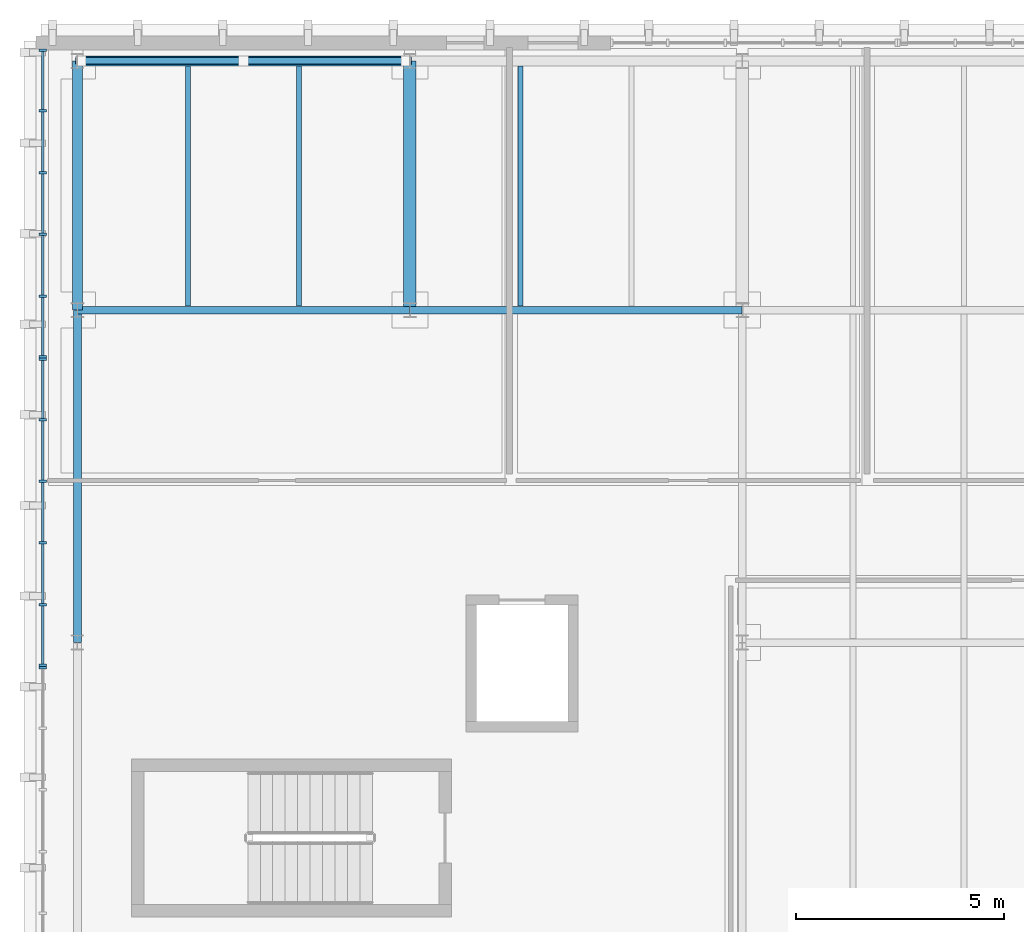
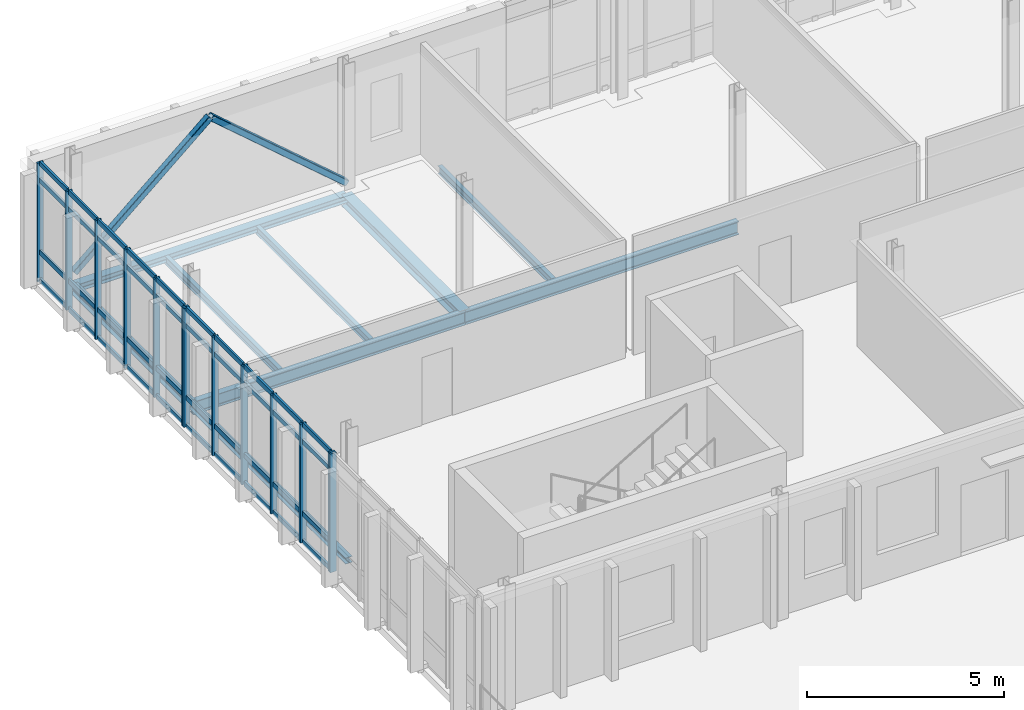
# One storey, part 9 of 43: 55 members, 9 beams, 3 elements without a shape of their own.
"""IFC4 building model written with IfcOpenShell, lengths in metres."""

import ifcopenshell
import ifcopenshell.guid

model = None  # the IFC model being written
_history = None  # IfcOwnerHistory: only IFC2X3 demands one
_inside = {}  # id of a spatial element -> (the spatial element, [elements in it])
_under = {}  # id of a project, library or spatial element -> (it, [spatial elements below it])
_declared = {}  # id of a project -> (the project, [libraries it declares])
_typed = {}  # id of a type object -> (the type object, [elements of that type])
_made_of = {}  # id of a material, layer set ... -> (it, [elements and type objects made of it])


def new_model(schema):
    """Start an empty IFC model of exactly this schema.

    Asked for "IFC4X3", IfcOpenShell would pick the latest addendum, in which some entities
    have other attributes; the version numbers below select the first issue.
    IFC2X3 requires an IfcOwnerHistory on every rooted entity: one is made here for all.
    """
    global model, _history
    if schema == "IFC4X3":
        model = ifcopenshell.file(schema_version=(4, 3, 0, 0))
    else:
        model = ifcopenshell.file(schema=schema)
    _inside.clear()
    _under.clear()
    _declared.clear()
    _typed.clear()
    _made_of.clear()
    _history = None
    if model.schema == "IFC2X3":
        org = make("IfcOrganization", Name="unknown")
        user = make(
            "IfcPersonAndOrganization",
            ThePerson=make("IfcPerson", FamilyName="unknown"),
            TheOrganization=org,
        )
        app = make(
            "IfcApplication",
            ApplicationDeveloper=org,
            Version="unknown",
            ApplicationFullName="unknown",
            ApplicationIdentifier="unknown",
        )
        _history = make(
            "IfcOwnerHistory",
            OwningUser=user,
            OwningApplication=app,
            ChangeAction="ADDED",
            CreationDate=0,
        )
    return model


def make(cls, **values):
    """One entity of the class cls with the attributes given. An attribute that is None is left unset."""
    return model.create_entity(
        cls, **{name: value for name, value in values.items() if value is not None}
    )


def rooted(cls, **values):
    """An entity with a GlobalId (a new one), such as an element, a storey or a relation."""
    return make(cls, GlobalId=ifcopenshell.guid.new(), OwnerHistory=_history, **values)


def si_unit(unit_type, name, prefix=None):
    """IfcSIUnit, for example si_unit("LENGTHUNIT", "METRE", prefix="MILLI")."""
    return make("IfcSIUnit", UnitType=unit_type, Prefix=prefix, Name=name)


def assignment(units):
    """IfcUnitAssignment: the units of a project."""
    return None if units is None else make("IfcUnitAssignment", Units=units)


def point(xyz):
    """IfcCartesianPoint."""
    return None if xyz is None else make("IfcCartesianPoint", Coordinates=xyz)


def direction(xyz):
    """IfcDirection."""
    return None if xyz is None else make("IfcDirection", DirectionRatios=xyz)


def frame(location, z_axis=None, x_axis=None):
    """IfcAxis2Placement3D, a coordinate frame: its origin and axes. An axis left out is left unset."""
    return make(
        "IfcAxis2Placement3D",
        Location=point(location),
        Axis=direction(z_axis),
        RefDirection=direction(x_axis),
    )


def frame_2d(location, x_axis=None):
    """IfcAxis2Placement2D, a coordinate frame in the plane: its origin and x axis."""
    return make(
        "IfcAxis2Placement2D", Location=point(location), RefDirection=direction(x_axis)
    )


def origin():
    """The frame at (0, 0, 0) with its axes left unset."""
    return frame((0.0, 0.0, 0.0))


def origin_2d():
    """The frame at (0, 0) in the plane with its x axis left unset."""
    return frame_2d((0.0, 0.0))


def place(relative_to, where):
    """IfcLocalPlacement: puts the frame where relative to a parent placement (None: the world)."""
    return make(
        "IfcLocalPlacement", PlacementRelTo=relative_to, RelativePlacement=where
    )


def context(
    kind, dimensions, precision=None, world=None, true_north=None, identifier=None
):
    """IfcGeometricRepresentationContext, for example the 3D "Model" context."""
    return make(
        "IfcGeometricRepresentationContext",
        ContextIdentifier=identifier,
        ContextType=kind,
        CoordinateSpaceDimension=dimensions,
        Precision=precision,
        WorldCoordinateSystem=world,
        TrueNorth=true_north,
    )


def subcontext(parent, identifier, kind, view, scale=None):
    """IfcGeometricRepresentationSubContext, for example "Body" below "Model"."""
    return make(
        "IfcGeometricRepresentationSubContext",
        ContextIdentifier=identifier,
        ContextType=kind,
        ParentContext=parent,
        TargetScale=scale,
        TargetView=view,
    )


def project(units=None, contexts=None):
    """IfcProject with its units and contexts."""
    return rooted(
        "IfcProject",
        Name="project",
        RepresentationContexts=contexts,
        UnitsInContext=assignment(units),
    )


def spatial(cls, under=None, at=None, **own):
    """A site, building, storey or space (cls), placed at a placement, below another one or the project."""
    s = rooted(cls, ObjectPlacement=at, **own)
    if under is not None:
        _under.setdefault(under.id(), (under, []))[1].append(s)
    return s


def profile(cls, at=None, kind="AREA", **sizes):
    """A parametric profile (cls). Its sizes go by their IFC names, for example OverallWidth=200.0."""
    return make(cls, ProfileType=kind, Position=at, **sizes)


def rectangle(**sizes):
    """IfcRectangleProfileDef."""
    return profile("IfcRectangleProfileDef", **sizes)


def hollow_rectangle(**sizes):
    """IfcRectangleHollowProfileDef."""
    return profile("IfcRectangleHollowProfileDef", **sizes)


def i_section(**sizes):
    """IfcIShapeProfileDef."""
    return profile("IfcIShapeProfileDef", **sizes)


def extrude(swept, where, along, depth):
    """IfcExtrudedAreaSolid: the profile swept, set in the frame where, extruded along a direction by depth."""
    return make(
        "IfcExtrudedAreaSolid",
        SweptArea=swept,
        Position=where,
        ExtrudedDirection=direction(along),
        Depth=depth,
    )


def shape(context_of_items, identifier, shape_type, items):
    """IfcShapeRepresentation: the items that make up one representation, for example the "Body"."""
    return make(
        "IfcShapeRepresentation",
        ContextOfItems=context_of_items,
        RepresentationIdentifier=identifier,
        RepresentationType=shape_type,
        Items=items,
    )


def material(Name=None, Category=None):
    """IfcMaterial."""
    return make("IfcMaterial", Name=Name, Category=Category)


def material_profile(
    of_material, cross_section, Name=None, Category=None, Priority=None
):
    """IfcMaterialProfile: a cross section and its material."""
    return make(
        "IfcMaterialProfile",
        Name=Name,
        Material=of_material,
        Profile=cross_section,
        Priority=Priority,
        Category=Category,
    )


def profile_set(profiles, Name=None, composite=None):
    """IfcMaterialProfileSet."""
    return make(
        "IfcMaterialProfileSet",
        Name=Name,
        MaterialProfiles=profiles,
        CompositeProfile=composite,
    )


def made_of(thing, what):
    """Note that an element or type object is made of a material, layer set ...; save() writes the relation."""
    if what is not None:
        _made_of.setdefault(what.id(), (what, []))[1].append(thing)
    return thing


def type_object(cls, material=None, **own):
    """A type object (cls), such as IfcWallType, which elements share."""
    return made_of(rooted(cls, **own), material)


def element(
    cls,
    number,
    at=None,
    inside=None,
    cuts=None,
    type_object=None,
    material=None,
    context=None,
    identifier="Body",
    shape_type=None,
    held_by="IfcProductDefinitionShape",
    body=None,
    shapes=None,
    **own,
):
    """One element of the class cls, such as IfcWall. Its Tag is "e" and its number.

    at: its placement. inside: the storey or other place that contains it. cuts: it is an
    opening in that element (IfcRelVoidsElement). A single representation is given by context,
    identifier, shape_type and body (its items); several are given by shapes. held_by: the class
    of the entity that holds the representations. save() writes the other relations.
    """
    e = rooted(cls, Tag="e%d" % number, ObjectPlacement=at, **own)
    if body is not None:
        shapes = [shape(context, identifier, shape_type, body)]
    if shapes is not None:
        e.Representation = make(held_by, Representations=shapes)
    if inside is not None:
        _inside.setdefault(inside.id(), (inside, []))[1].append(e)
    if cuts is not None:
        rooted(
            "IfcRelVoidsElement", RelatingBuildingElement=cuts, RelatedOpeningElement=e
        )
    if type_object is not None:
        _typed.setdefault(type_object.id(), (type_object, []))[1].append(e)
    return made_of(e, material)


def aggregate(whole, parts):
    """IfcRelAggregates: a whole, such as a stair, and the parts it consists of."""
    return rooted("IfcRelAggregates", RelatingObject=whole, RelatedObjects=parts)


def save(model, path):
    """Write the relations noted so far, then the file.

    IfcRelAggregates (storeys below a building ...), IfcRelContainedInSpatialStructure (elements
    in a storey), IfcRelDefinesByType, IfcRelAssociatesMaterial and IfcRelDeclares: one each for
    every whole, place, type object, material and project.
    """
    for whole, parts in _under.values():
        aggregate(whole, parts)
    for where, things in _inside.values():
        rooted(
            "IfcRelContainedInSpatialStructure",
            RelatedElements=things,
            RelatingStructure=where,
        )
    for kind, things in _typed.values():
        rooted("IfcRelDefinesByType", RelatedObjects=things, RelatingType=kind)
    for what, things in _made_of.values():
        rooted("IfcRelAssociatesMaterial", RelatedObjects=things, RelatingMaterial=what)
    for by, libraries in _declared.values():
        rooted("IfcRelDeclares", RelatingContext=by, RelatedDefinitions=libraries)
    model.write(path)


model = new_model("IFC4")

# Units and contexts
model_context = context("Model", 3, precision=1e-05, world=origin(), true_north=direction((0.0, 1.0)))
body_context = subcontext(model_context, "Body", "Model", "MODEL_VIEW")
ifc_project = project(units=[si_unit("LENGTHUNIT", "METRE"), si_unit("AREAUNIT", "SQUARE_METRE"), si_unit("VOLUMEUNIT", "CUBIC_METRE"), si_unit("PLANEANGLEUNIT", "RADIAN"), si_unit("MASSUNIT", "GRAM", prefix="KILO")], contexts=[model_context])

# Site, building, storey
site_placement = place(None, origin())
site = spatial("IfcSite", under=ifc_project, at=site_placement, CompositionType="ELEMENT")
building_placement = place(site_placement, origin())
building = spatial("IfcBuilding", under=site, at=building_placement, Name="Cymarion Research Institute", CompositionType="ELEMENT")
storey_placement = place(building_placement, frame((0.0, 0.0, 22.800048828125)))
storey = spatial("IfcBuildingStorey", under=building, at=storey_placement, Name="L05", CompositionType="ELEMENT", Elevation=22.800048828125)

# Curtain wall, members
ifc_material_1 = material(Name="Anodised aluminium unitised curtain wall with Low-E glazing", Category="aluminium")
curtain_wall_type = type_object("IfcCurtainWallType", Name="UNITISED CURTAIN WALL CW56 7430X3680", PredefinedType="NOTDEFINED", material=ifc_material_1)
curtain_wall_1_placement = place(storey_placement, origin())
curtain_wall_1 = element("IfcCurtainWall", 1, at=curtain_wall_1_placement, inside=storey, type_object=curtain_wall_type, Name="L05 V5 unitised curtain wall CW56 #212", PredefinedType="NOTDEFINED")
ifc_material_2 = material(Name="Anodised aluminium framing", Category="aluminium")
ifc_material_profile_1 = material_profile(ifc_material_2, rectangle(XDim=0.06005859375, YDim=0.179931640625, at=origin_2d()), Name="ALU MULLION 60x180")
ifc_profile_set_1 = profile_set([ifc_material_profile_1], Name="Anodised aluminium framing")
member_type_1 = type_object("IfcMemberType", Name="CURTAIN WALL MULLION ML01 60X180", PredefinedType="MULLION", material=ifc_profile_set_1)
member_1_placement = place(storey_placement, frame((5.77001953125, 115.748046875, 0.0), z_axis=(0.0, 0.0, 1.0), x_axis=(0.0, -1.0, 0.0)))
member_1 = element("IfcMember", 2, at=member_1_placement, type_object=member_type_1, Name="CW56 mullion 1", PredefinedType="MULLION", context=body_context, shape_type="SweptSolid", body=[
    extrude(rectangle(XDim=0.06005859375, YDim=0.179931640625, at=origin_2d()), origin(), (0.0, 0.0, 1.0), 3.679931640625),
])
member_2_placement = place(storey_placement, frame((5.77001953125, 114.292724609375, 0.0), z_axis=(0.0, 0.0, 1.0), x_axis=(0.0, -1.0, 0.0)))
member_2 = element("IfcMember", 3, at=member_2_placement, type_object=member_type_1, Name="CW56 mullion 2", PredefinedType="MULLION", context=body_context, shape_type="SweptSolid", body=[
    extrude(rectangle(XDim=0.06005859375, YDim=0.179931640625, at=origin_2d()), origin(), (0.0, 0.0, 1.0), 3.679931640625),
])
member_3_placement = place(storey_placement, frame((5.77001953125, 112.8076171875, 0.0), z_axis=(0.0, 0.0, 1.0), x_axis=(0.0, -1.0, 0.0)))
member_3 = element("IfcMember", 4, at=member_3_placement, type_object=member_type_1, Name="CW56 mullion 3", PredefinedType="MULLION", context=body_context, shape_type="SweptSolid", body=[
    extrude(rectangle(XDim=0.06005859375, YDim=0.179931640625, at=origin_2d()), origin(), (0.0, 0.0, 1.0), 3.679931640625),
])
member_4_placement = place(storey_placement, frame((5.77001953125, 111.322509765625, 0.0), z_axis=(0.0, 0.0, 1.0), x_axis=(0.0, -1.0, 0.0)))
member_4 = element("IfcMember", 5, at=member_4_placement, type_object=member_type_1, Name="CW56 mullion 4", PredefinedType="MULLION", context=body_context, shape_type="SweptSolid", body=[
    extrude(rectangle(XDim=0.06005859375, YDim=0.179931640625, at=origin_2d()), origin(), (0.0, 0.0, 1.0), 3.679931640625),
])
member_5_placement = place(storey_placement, frame((5.77001953125, 109.837158203125, 0.0), z_axis=(0.0, 0.0, 1.0), x_axis=(0.0, -1.0, 0.0)))
member_5 = element("IfcMember", 6, at=member_5_placement, type_object=member_type_1, Name="CW56 mullion 5", PredefinedType="MULLION", context=body_context, shape_type="SweptSolid", body=[
    extrude(rectangle(XDim=0.06005859375, YDim=0.179931640625, at=origin_2d()), origin(), (0.0, 0.0, 1.0), 3.679931640625),
])
member_6_placement = place(storey_placement, frame((5.77001953125, 108.382080078125, 0.0), z_axis=(0.0, 0.0, 1.0), x_axis=(0.0, -1.0, 0.0)))
member_6 = element("IfcMember", 7, at=member_6_placement, type_object=member_type_1, Name="CW56 mullion 6", PredefinedType="MULLION", context=body_context, shape_type="SweptSolid", body=[
    extrude(rectangle(XDim=0.06005859375, YDim=0.179931640625, at=origin_2d()), origin(), (0.0, 0.0, 1.0), 3.679931640625),
])

curtain_wall_2_placement = place(storey_placement, origin())
curtain_wall_2 = element("IfcCurtainWall", 8, at=curtain_wall_2_placement, inside=storey, type_object=curtain_wall_type, Name="L05 V5 unitised curtain wall CW56 #213", PredefinedType="NOTDEFINED")
member_7_placement = place(storey_placement, frame((5.77001953125, 108.322021484375, 0.0), z_axis=(0.0, 0.0, 1.0), x_axis=(0.0, -1.0, 0.0)))
member_7 = element("IfcMember", 9, at=member_7_placement, type_object=member_type_1, Name="CW56 mullion 1", PredefinedType="MULLION", context=body_context, shape_type="SweptSolid", body=[
    extrude(rectangle(XDim=0.06005859375, YDim=0.179931640625, at=origin_2d()), origin(), (0.0, 0.0, 1.0), 3.679931640625),
])
member_8_placement = place(storey_placement, frame((5.77001953125, 106.86669921875, 0.0), z_axis=(0.0, 0.0, 1.0), x_axis=(0.0, -1.0, 0.0)))
member_8 = element("IfcMember", 10, at=member_8_placement, type_object=member_type_1, Name="CW56 mullion 2", PredefinedType="MULLION", context=body_context, shape_type="SweptSolid", body=[
    extrude(rectangle(XDim=0.06005859375, YDim=0.179931640625, at=origin_2d()), origin(), (0.0, 0.0, 1.0), 3.679931640625),
])
member_9_placement = place(storey_placement, frame((5.77001953125, 105.381591796875, 0.0), z_axis=(0.0, 0.0, 1.0), x_axis=(0.0, -1.0, 0.0)))
member_9 = element("IfcMember", 11, at=member_9_placement, type_object=member_type_1, Name="CW56 mullion 3", PredefinedType="MULLION", context=body_context, shape_type="SweptSolid", body=[
    extrude(rectangle(XDim=0.06005859375, YDim=0.179931640625, at=origin_2d()), origin(), (0.0, 0.0, 1.0), 3.679931640625),
])
member_10_placement = place(storey_placement, frame((5.77001953125, 103.896484375, 0.0), z_axis=(0.0, 0.0, 1.0), x_axis=(0.0, -1.0, 0.0)))
member_10 = element("IfcMember", 12, at=member_10_placement, type_object=member_type_1, Name="CW56 mullion 4", PredefinedType="MULLION", context=body_context, shape_type="SweptSolid", body=[
    extrude(rectangle(XDim=0.06005859375, YDim=0.179931640625, at=origin_2d()), origin(), (0.0, 0.0, 1.0), 3.679931640625),
])
member_11_placement = place(storey_placement, frame((5.77001953125, 102.4111328125, 0.0), z_axis=(0.0, 0.0, 1.0), x_axis=(0.0, -1.0, 0.0)))
member_11 = element("IfcMember", 13, at=member_11_placement, type_object=member_type_1, Name="CW56 mullion 5", PredefinedType="MULLION", context=body_context, shape_type="SweptSolid", body=[
    extrude(rectangle(XDim=0.06005859375, YDim=0.179931640625, at=origin_2d()), origin(), (0.0, 0.0, 1.0), 3.679931640625),
])
member_12_placement = place(storey_placement, frame((5.77001953125, 100.9560546875, 0.0), z_axis=(0.0, 0.0, 1.0), x_axis=(0.0, -1.0, 0.0)))
member_12 = element("IfcMember", 14, at=member_12_placement, type_object=member_type_1, Name="CW56 mullion 6", PredefinedType="MULLION", context=body_context, shape_type="SweptSolid", body=[
    extrude(rectangle(XDim=0.06005859375, YDim=0.179931640625, at=origin_2d()), origin(), (0.0, 0.0, 1.0), 3.679931640625),
])

# Curtain wall, member
curtain_wall_3_placement = place(storey_placement, origin())
curtain_wall_3 = element("IfcCurtainWall", 15, at=curtain_wall_3_placement, inside=storey, type_object=curtain_wall_type, Name="L05 V5 unitised curtain wall CW56 #214", PredefinedType="NOTDEFINED")
member_13_placement = place(storey_placement, frame((5.77001953125, 100.89599609375, 0.0), z_axis=(0.0, 0.0, 1.0), x_axis=(0.0, -1.0, 0.0)))
member_13 = element("IfcMember", 16, at=member_13_placement, type_object=member_type_1, Name="CW56 mullion 1", PredefinedType="MULLION", context=body_context, shape_type="SweptSolid", body=[
    extrude(rectangle(XDim=0.06005859375, YDim=0.179931640625, at=origin_2d()), origin(), (0.0, 0.0, 1.0), 3.679931640625),
])
aggregate(curtain_wall_3, [member_13])

# Member
ifc_material_profile_2 = material_profile(ifc_material_2, rectangle(XDim=0.06005859375, YDim=0.14990234375, at=origin_2d()), Name="ALU TRANSOM 60x150")
ifc_profile_set_2 = profile_set([ifc_material_profile_2], Name="Anodised aluminium framing")
member_type_2 = type_object("IfcMemberType", Name="CURTAIN WALL TRANSOM TR01 60X150", PredefinedType="USERDEFINED", material=ifc_profile_set_2)
member_14_placement = place(storey_placement, frame((5.77001953125, 115.718017578125, 0.030029296875), z_axis=(0.0, -1.0, 0.0), x_axis=(1.0, 0.0, 0.0)))
member_14 = element("IfcMember", 17, at=member_14_placement, type_object=member_type_2, Name="CW56 transom 1.1", ObjectType="TRANSOM", PredefinedType="USERDEFINED", context=body_context, shape_type="SweptSolid", body=[
    extrude(rectangle(XDim=0.06005859375, YDim=0.14990234375, at=origin_2d()), origin(), (0.0, 0.0, 1.0), 1.395263671875),
])

member_15_placement = place(storey_placement, frame((5.77001953125, 115.718017578125, 0.89990234375), z_axis=(0.0, -1.0, 0.0), x_axis=(1.0, 0.0, 0.0)))
member_15 = element("IfcMember", 18, at=member_15_placement, type_object=member_type_2, Name="CW56 transom 1.2", ObjectType="TRANSOM", PredefinedType="USERDEFINED", context=body_context, shape_type="SweptSolid", body=[
    extrude(rectangle(XDim=0.06005859375, YDim=0.14990234375, at=origin_2d()), origin(), (0.0, 0.0, 1.0), 1.395263671875),
])

member_16_placement = place(storey_placement, frame((5.77001953125, 115.718017578125, 3.1298828125), z_axis=(0.0, -1.0, 0.0), x_axis=(1.0, 0.0, 0.0)))
member_16 = element("IfcMember", 19, at=member_16_placement, type_object=member_type_2, Name="CW56 transom 1.3", ObjectType="TRANSOM", PredefinedType="USERDEFINED", context=body_context, shape_type="SweptSolid", body=[
    extrude(rectangle(XDim=0.06005859375, YDim=0.14990234375, at=origin_2d()), origin(), (0.0, 0.0, 1.0), 1.395263671875),
])

member_17_placement = place(storey_placement, frame((5.77001953125, 115.718017578125, 3.64990234375), z_axis=(0.0, -1.0, 0.0), x_axis=(1.0, 0.0, 0.0)))
member_17 = element("IfcMember", 20, at=member_17_placement, type_object=member_type_2, Name="CW56 transom 1.4", ObjectType="TRANSOM", PredefinedType="USERDEFINED", context=body_context, shape_type="SweptSolid", body=[
    extrude(rectangle(XDim=0.06005859375, YDim=0.14990234375, at=origin_2d()), origin(), (0.0, 0.0, 1.0), 1.395263671875),
])

member_18_placement = place(storey_placement, frame((5.77001953125, 114.2626953125, 0.030029296875), z_axis=(0.0, -1.0, 0.0), x_axis=(1.0, 0.0, 0.0)))
member_18 = element("IfcMember", 21, at=member_18_placement, type_object=member_type_2, Name="CW56 transom 2.1", ObjectType="TRANSOM", PredefinedType="USERDEFINED", context=body_context, shape_type="SweptSolid", body=[
    extrude(rectangle(XDim=0.06005859375, YDim=0.14990234375, at=origin_2d()), origin(), (0.0, 0.0, 1.0), 1.425048828125),
])

member_19_placement = place(storey_placement, frame((5.77001953125, 114.2626953125, 0.89990234375), z_axis=(0.0, -1.0, 0.0), x_axis=(1.0, 0.0, 0.0)))
member_19 = element("IfcMember", 22, at=member_19_placement, type_object=member_type_2, Name="CW56 transom 2.2", ObjectType="TRANSOM", PredefinedType="USERDEFINED", context=body_context, shape_type="SweptSolid", body=[
    extrude(rectangle(XDim=0.06005859375, YDim=0.14990234375, at=origin_2d()), origin(), (0.0, 0.0, 1.0), 1.425048828125),
])

member_20_placement = place(storey_placement, frame((5.77001953125, 114.2626953125, 3.1298828125), z_axis=(0.0, -1.0, 0.0), x_axis=(1.0, 0.0, 0.0)))
member_20 = element("IfcMember", 23, at=member_20_placement, type_object=member_type_2, Name="CW56 transom 2.3", ObjectType="TRANSOM", PredefinedType="USERDEFINED", context=body_context, shape_type="SweptSolid", body=[
    extrude(rectangle(XDim=0.06005859375, YDim=0.14990234375, at=origin_2d()), origin(), (0.0, 0.0, 1.0), 1.425048828125),
])

member_21_placement = place(storey_placement, frame((5.77001953125, 114.2626953125, 3.64990234375), z_axis=(0.0, -1.0, 0.0), x_axis=(1.0, 0.0, 0.0)))
member_21 = element("IfcMember", 24, at=member_21_placement, type_object=member_type_2, Name="CW56 transom 2.4", ObjectType="TRANSOM", PredefinedType="USERDEFINED", context=body_context, shape_type="SweptSolid", body=[
    extrude(rectangle(XDim=0.06005859375, YDim=0.14990234375, at=origin_2d()), origin(), (0.0, 0.0, 1.0), 1.425048828125),
])

member_22_placement = place(storey_placement, frame((5.77001953125, 112.777587890625, 0.030029296875), z_axis=(0.0, -1.0, 0.0), x_axis=(1.0, 0.0, 0.0)))
member_22 = element("IfcMember", 25, at=member_22_placement, type_object=member_type_2, Name="CW56 transom 3.1", ObjectType="TRANSOM", PredefinedType="USERDEFINED", context=body_context, shape_type="SweptSolid", body=[
    extrude(rectangle(XDim=0.06005859375, YDim=0.14990234375, at=origin_2d()), origin(), (0.0, 0.0, 1.0), 1.42529296875),
])

member_23_placement = place(storey_placement, frame((5.77001953125, 112.777587890625, 0.89990234375), z_axis=(0.0, -1.0, 0.0), x_axis=(1.0, 0.0, 0.0)))
member_23 = element("IfcMember", 26, at=member_23_placement, type_object=member_type_2, Name="CW56 transom 3.2", ObjectType="TRANSOM", PredefinedType="USERDEFINED", context=body_context, shape_type="SweptSolid", body=[
    extrude(rectangle(XDim=0.06005859375, YDim=0.14990234375, at=origin_2d()), origin(), (0.0, 0.0, 1.0), 1.42529296875),
])

member_24_placement = place(storey_placement, frame((5.77001953125, 112.777587890625, 3.1298828125), z_axis=(0.0, -1.0, 0.0), x_axis=(1.0, 0.0, 0.0)))
member_24 = element("IfcMember", 27, at=member_24_placement, type_object=member_type_2, Name="CW56 transom 3.3", ObjectType="TRANSOM", PredefinedType="USERDEFINED", context=body_context, shape_type="SweptSolid", body=[
    extrude(rectangle(XDim=0.06005859375, YDim=0.14990234375, at=origin_2d()), origin(), (0.0, 0.0, 1.0), 1.42529296875),
])

member_25_placement = place(storey_placement, frame((5.77001953125, 112.777587890625, 3.64990234375), z_axis=(0.0, -1.0, 0.0), x_axis=(1.0, 0.0, 0.0)))
member_25 = element("IfcMember", 28, at=member_25_placement, type_object=member_type_2, Name="CW56 transom 3.4", ObjectType="TRANSOM", PredefinedType="USERDEFINED", context=body_context, shape_type="SweptSolid", body=[
    extrude(rectangle(XDim=0.06005859375, YDim=0.14990234375, at=origin_2d()), origin(), (0.0, 0.0, 1.0), 1.42529296875),
])

member_26_placement = place(storey_placement, frame((5.77001953125, 111.29248046875, 0.030029296875), z_axis=(0.0, -1.0, 0.0), x_axis=(1.0, 0.0, 0.0)))
member_26 = element("IfcMember", 29, at=member_26_placement, type_object=member_type_2, Name="CW56 transom 4.1", ObjectType="TRANSOM", PredefinedType="USERDEFINED", context=body_context, shape_type="SweptSolid", body=[
    extrude(rectangle(XDim=0.06005859375, YDim=0.14990234375, at=origin_2d()), origin(), (0.0, 0.0, 1.0), 1.42529296875),
])

member_27_placement = place(storey_placement, frame((5.77001953125, 111.29248046875, 0.89990234375), z_axis=(0.0, -1.0, 0.0), x_axis=(1.0, 0.0, 0.0)))
member_27 = element("IfcMember", 30, at=member_27_placement, type_object=member_type_2, Name="CW56 transom 4.2", ObjectType="TRANSOM", PredefinedType="USERDEFINED", context=body_context, shape_type="SweptSolid", body=[
    extrude(rectangle(XDim=0.06005859375, YDim=0.14990234375, at=origin_2d()), origin(), (0.0, 0.0, 1.0), 1.42529296875),
])

member_28_placement = place(storey_placement, frame((5.77001953125, 111.29248046875, 3.1298828125), z_axis=(0.0, -1.0, 0.0), x_axis=(1.0, 0.0, 0.0)))
member_28 = element("IfcMember", 31, at=member_28_placement, type_object=member_type_2, Name="CW56 transom 4.3", ObjectType="TRANSOM", PredefinedType="USERDEFINED", context=body_context, shape_type="SweptSolid", body=[
    extrude(rectangle(XDim=0.06005859375, YDim=0.14990234375, at=origin_2d()), origin(), (0.0, 0.0, 1.0), 1.42529296875),
])

member_29_placement = place(storey_placement, frame((5.77001953125, 111.29248046875, 3.64990234375), z_axis=(0.0, -1.0, 0.0), x_axis=(1.0, 0.0, 0.0)))
member_29 = element("IfcMember", 32, at=member_29_placement, type_object=member_type_2, Name="CW56 transom 4.4", ObjectType="TRANSOM", PredefinedType="USERDEFINED", context=body_context, shape_type="SweptSolid", body=[
    extrude(rectangle(XDim=0.06005859375, YDim=0.14990234375, at=origin_2d()), origin(), (0.0, 0.0, 1.0), 1.42529296875),
])

member_30_placement = place(storey_placement, frame((5.77001953125, 109.80712890625, 0.030029296875), z_axis=(0.0, -1.0, 0.0), x_axis=(1.0, 0.0, 0.0)))
member_30 = element("IfcMember", 33, at=member_30_placement, type_object=member_type_2, Name="CW56 transom 5.1", ObjectType="TRANSOM", PredefinedType="USERDEFINED", context=body_context, shape_type="SweptSolid", body=[
    extrude(rectangle(XDim=0.06005859375, YDim=0.14990234375, at=origin_2d()), origin(), (0.0, 0.0, 1.0), 1.39501953125),
])

member_31_placement = place(storey_placement, frame((5.77001953125, 109.80712890625, 0.89990234375), z_axis=(0.0, -1.0, 0.0), x_axis=(1.0, 0.0, 0.0)))
member_31 = element("IfcMember", 34, at=member_31_placement, type_object=member_type_2, Name="CW56 transom 5.2", ObjectType="TRANSOM", PredefinedType="USERDEFINED", context=body_context, shape_type="SweptSolid", body=[
    extrude(rectangle(XDim=0.06005859375, YDim=0.14990234375, at=origin_2d()), origin(), (0.0, 0.0, 1.0), 1.39501953125),
])

member_32_placement = place(storey_placement, frame((5.77001953125, 109.80712890625, 3.1298828125), z_axis=(0.0, -1.0, 0.0), x_axis=(1.0, 0.0, 0.0)))
member_32 = element("IfcMember", 35, at=member_32_placement, type_object=member_type_2, Name="CW56 transom 5.3", ObjectType="TRANSOM", PredefinedType="USERDEFINED", context=body_context, shape_type="SweptSolid", body=[
    extrude(rectangle(XDim=0.06005859375, YDim=0.14990234375, at=origin_2d()), origin(), (0.0, 0.0, 1.0), 1.39501953125),
])

member_33_placement = place(storey_placement, frame((5.77001953125, 109.80712890625, 3.64990234375), z_axis=(0.0, -1.0, 0.0), x_axis=(1.0, 0.0, 0.0)))
member_33 = element("IfcMember", 36, at=member_33_placement, type_object=member_type_2, Name="CW56 transom 5.4", ObjectType="TRANSOM", PredefinedType="USERDEFINED", context=body_context, shape_type="SweptSolid", body=[
    extrude(rectangle(XDim=0.06005859375, YDim=0.14990234375, at=origin_2d()), origin(), (0.0, 0.0, 1.0), 1.39501953125),
])

aggregate(curtain_wall_1, [member_1, member_2, member_3, member_4, member_5, member_6, member_14, member_15, member_16, member_17, member_18, member_19, member_20, member_21, member_22, member_23, member_24, member_25, member_26, member_27, member_28, member_29, member_30, member_31, member_32, member_33])

member_34_placement = place(storey_placement, frame((5.77001953125, 108.2919921875, 0.030029296875), z_axis=(0.0, -1.0, 0.0), x_axis=(1.0, 0.0, 0.0)))
member_34 = element("IfcMember", 37, at=member_34_placement, type_object=member_type_2, Name="CW56 transom 1.1", ObjectType="TRANSOM", PredefinedType="USERDEFINED", context=body_context, shape_type="SweptSolid", body=[
    extrude(rectangle(XDim=0.06005859375, YDim=0.14990234375, at=origin_2d()), origin(), (0.0, 0.0, 1.0), 1.395263671875),
])

member_35_placement = place(storey_placement, frame((5.77001953125, 108.2919921875, 0.89990234375), z_axis=(0.0, -1.0, 0.0), x_axis=(1.0, 0.0, 0.0)))
member_35 = element("IfcMember", 38, at=member_35_placement, type_object=member_type_2, Name="CW56 transom 1.2", ObjectType="TRANSOM", PredefinedType="USERDEFINED", context=body_context, shape_type="SweptSolid", body=[
    extrude(rectangle(XDim=0.06005859375, YDim=0.14990234375, at=origin_2d()), origin(), (0.0, 0.0, 1.0), 1.395263671875),
])

member_36_placement = place(storey_placement, frame((5.77001953125, 108.2919921875, 3.1298828125), z_axis=(0.0, -1.0, 0.0), x_axis=(1.0, 0.0, 0.0)))
member_36 = element("IfcMember", 39, at=member_36_placement, type_object=member_type_2, Name="CW56 transom 1.3", ObjectType="TRANSOM", PredefinedType="USERDEFINED", context=body_context, shape_type="SweptSolid", body=[
    extrude(rectangle(XDim=0.06005859375, YDim=0.14990234375, at=origin_2d()), origin(), (0.0, 0.0, 1.0), 1.395263671875),
])

member_37_placement = place(storey_placement, frame((5.77001953125, 108.2919921875, 3.64990234375), z_axis=(0.0, -1.0, 0.0), x_axis=(1.0, 0.0, 0.0)))
member_37 = element("IfcMember", 40, at=member_37_placement, type_object=member_type_2, Name="CW56 transom 1.4", ObjectType="TRANSOM", PredefinedType="USERDEFINED", context=body_context, shape_type="SweptSolid", body=[
    extrude(rectangle(XDim=0.06005859375, YDim=0.14990234375, at=origin_2d()), origin(), (0.0, 0.0, 1.0), 1.395263671875),
])

member_38_placement = place(storey_placement, frame((5.77001953125, 106.8369140625, 0.030029296875), z_axis=(0.0, -1.0, 0.0), x_axis=(1.0, 0.0, 0.0)))
member_38 = element("IfcMember", 41, at=member_38_placement, type_object=member_type_2, Name="CW56 transom 2.1", ObjectType="TRANSOM", PredefinedType="USERDEFINED", context=body_context, shape_type="SweptSolid", body=[
    extrude(rectangle(XDim=0.06005859375, YDim=0.14990234375, at=origin_2d()), origin(), (0.0, 0.0, 1.0), 1.42529296875),
])

member_39_placement = place(storey_placement, frame((5.77001953125, 106.8369140625, 0.89990234375), z_axis=(0.0, -1.0, 0.0), x_axis=(1.0, 0.0, 0.0)))
member_39 = element("IfcMember", 42, at=member_39_placement, type_object=member_type_2, Name="CW56 transom 2.2", ObjectType="TRANSOM", PredefinedType="USERDEFINED", context=body_context, shape_type="SweptSolid", body=[
    extrude(rectangle(XDim=0.06005859375, YDim=0.14990234375, at=origin_2d()), origin(), (0.0, 0.0, 1.0), 1.42529296875),
])

member_40_placement = place(storey_placement, frame((5.77001953125, 106.8369140625, 3.1298828125), z_axis=(0.0, -1.0, 0.0), x_axis=(1.0, 0.0, 0.0)))
member_40 = element("IfcMember", 43, at=member_40_placement, type_object=member_type_2, Name="CW56 transom 2.3", ObjectType="TRANSOM", PredefinedType="USERDEFINED", context=body_context, shape_type="SweptSolid", body=[
    extrude(rectangle(XDim=0.06005859375, YDim=0.14990234375, at=origin_2d()), origin(), (0.0, 0.0, 1.0), 1.42529296875),
])

member_41_placement = place(storey_placement, frame((5.77001953125, 106.8369140625, 3.64990234375), z_axis=(0.0, -1.0, 0.0), x_axis=(1.0, 0.0, 0.0)))
member_41 = element("IfcMember", 44, at=member_41_placement, type_object=member_type_2, Name="CW56 transom 2.4", ObjectType="TRANSOM", PredefinedType="USERDEFINED", context=body_context, shape_type="SweptSolid", body=[
    extrude(rectangle(XDim=0.06005859375, YDim=0.14990234375, at=origin_2d()), origin(), (0.0, 0.0, 1.0), 1.42529296875),
])

member_42_placement = place(storey_placement, frame((5.77001953125, 105.3515625, 0.030029296875), z_axis=(0.0, -1.0, 0.0), x_axis=(1.0, 0.0, 0.0)))
member_42 = element("IfcMember", 45, at=member_42_placement, type_object=member_type_2, Name="CW56 transom 3.1", ObjectType="TRANSOM", PredefinedType="USERDEFINED", context=body_context, shape_type="SweptSolid", body=[
    extrude(rectangle(XDim=0.06005859375, YDim=0.14990234375, at=origin_2d()), origin(), (0.0, 0.0, 1.0), 1.425048828125),
])

member_43_placement = place(storey_placement, frame((5.77001953125, 105.3515625, 0.89990234375), z_axis=(0.0, -1.0, 0.0), x_axis=(1.0, 0.0, 0.0)))
member_43 = element("IfcMember", 46, at=member_43_placement, type_object=member_type_2, Name="CW56 transom 3.2", ObjectType="TRANSOM", PredefinedType="USERDEFINED", context=body_context, shape_type="SweptSolid", body=[
    extrude(rectangle(XDim=0.06005859375, YDim=0.14990234375, at=origin_2d()), origin(), (0.0, 0.0, 1.0), 1.425048828125),
])

member_44_placement = place(storey_placement, frame((5.77001953125, 105.3515625, 3.1298828125), z_axis=(0.0, -1.0, 0.0), x_axis=(1.0, 0.0, 0.0)))
member_44 = element("IfcMember", 47, at=member_44_placement, type_object=member_type_2, Name="CW56 transom 3.3", ObjectType="TRANSOM", PredefinedType="USERDEFINED", context=body_context, shape_type="SweptSolid", body=[
    extrude(rectangle(XDim=0.06005859375, YDim=0.14990234375, at=origin_2d()), origin(), (0.0, 0.0, 1.0), 1.425048828125),
])

member_45_placement = place(storey_placement, frame((5.77001953125, 105.3515625, 3.64990234375), z_axis=(0.0, -1.0, 0.0), x_axis=(1.0, 0.0, 0.0)))
member_45 = element("IfcMember", 48, at=member_45_placement, type_object=member_type_2, Name="CW56 transom 3.4", ObjectType="TRANSOM", PredefinedType="USERDEFINED", context=body_context, shape_type="SweptSolid", body=[
    extrude(rectangle(XDim=0.06005859375, YDim=0.14990234375, at=origin_2d()), origin(), (0.0, 0.0, 1.0), 1.425048828125),
])

member_46_placement = place(storey_placement, frame((5.77001953125, 103.866455078125, 0.030029296875), z_axis=(0.0, -1.0, 0.0), x_axis=(1.0, 0.0, 0.0)))
member_46 = element("IfcMember", 49, at=member_46_placement, type_object=member_type_2, Name="CW56 transom 4.1", ObjectType="TRANSOM", PredefinedType="USERDEFINED", context=body_context, shape_type="SweptSolid", body=[
    extrude(rectangle(XDim=0.06005859375, YDim=0.14990234375, at=origin_2d()), origin(), (0.0, 0.0, 1.0), 1.42529296875),
])

member_47_placement = place(storey_placement, frame((5.77001953125, 103.866455078125, 0.89990234375), z_axis=(0.0, -1.0, 0.0), x_axis=(1.0, 0.0, 0.0)))
member_47 = element("IfcMember", 50, at=member_47_placement, type_object=member_type_2, Name="CW56 transom 4.2", ObjectType="TRANSOM", PredefinedType="USERDEFINED", context=body_context, shape_type="SweptSolid", body=[
    extrude(rectangle(XDim=0.06005859375, YDim=0.14990234375, at=origin_2d()), origin(), (0.0, 0.0, 1.0), 1.42529296875),
])

member_48_placement = place(storey_placement, frame((5.77001953125, 103.866455078125, 3.1298828125), z_axis=(0.0, -1.0, 0.0), x_axis=(1.0, 0.0, 0.0)))
member_48 = element("IfcMember", 51, at=member_48_placement, type_object=member_type_2, Name="CW56 transom 4.3", ObjectType="TRANSOM", PredefinedType="USERDEFINED", context=body_context, shape_type="SweptSolid", body=[
    extrude(rectangle(XDim=0.06005859375, YDim=0.14990234375, at=origin_2d()), origin(), (0.0, 0.0, 1.0), 1.42529296875),
])

member_49_placement = place(storey_placement, frame((5.77001953125, 103.866455078125, 3.64990234375), z_axis=(0.0, -1.0, 0.0), x_axis=(1.0, 0.0, 0.0)))
member_49 = element("IfcMember", 52, at=member_49_placement, type_object=member_type_2, Name="CW56 transom 4.4", ObjectType="TRANSOM", PredefinedType="USERDEFINED", context=body_context, shape_type="SweptSolid", body=[
    extrude(rectangle(XDim=0.06005859375, YDim=0.14990234375, at=origin_2d()), origin(), (0.0, 0.0, 1.0), 1.42529296875),
])

member_50_placement = place(storey_placement, frame((5.77001953125, 102.381103515625, 0.030029296875), z_axis=(0.0, -1.0, 0.0), x_axis=(1.0, 0.0, 0.0)))
member_50 = element("IfcMember", 53, at=member_50_placement, type_object=member_type_2, Name="CW56 transom 5.1", ObjectType="TRANSOM", PredefinedType="USERDEFINED", context=body_context, shape_type="SweptSolid", body=[
    extrude(rectangle(XDim=0.06005859375, YDim=0.14990234375, at=origin_2d()), origin(), (0.0, 0.0, 1.0), 1.39501953125),
])

member_51_placement = place(storey_placement, frame((5.77001953125, 102.381103515625, 0.89990234375), z_axis=(0.0, -1.0, 0.0), x_axis=(1.0, 0.0, 0.0)))
member_51 = element("IfcMember", 54, at=member_51_placement, type_object=member_type_2, Name="CW56 transom 5.2", ObjectType="TRANSOM", PredefinedType="USERDEFINED", context=body_context, shape_type="SweptSolid", body=[
    extrude(rectangle(XDim=0.06005859375, YDim=0.14990234375, at=origin_2d()), origin(), (0.0, 0.0, 1.0), 1.39501953125),
])

member_52_placement = place(storey_placement, frame((5.77001953125, 102.381103515625, 3.1298828125), z_axis=(0.0, -1.0, 0.0), x_axis=(1.0, 0.0, 0.0)))
member_52 = element("IfcMember", 55, at=member_52_placement, type_object=member_type_2, Name="CW56 transom 5.3", ObjectType="TRANSOM", PredefinedType="USERDEFINED", context=body_context, shape_type="SweptSolid", body=[
    extrude(rectangle(XDim=0.06005859375, YDim=0.14990234375, at=origin_2d()), origin(), (0.0, 0.0, 1.0), 1.39501953125),
])

member_53_placement = place(storey_placement, frame((5.77001953125, 102.381103515625, 3.64990234375), z_axis=(0.0, -1.0, 0.0), x_axis=(1.0, 0.0, 0.0)))
member_53 = element("IfcMember", 56, at=member_53_placement, type_object=member_type_2, Name="CW56 transom 5.4", ObjectType="TRANSOM", PredefinedType="USERDEFINED", context=body_context, shape_type="SweptSolid", body=[
    extrude(rectangle(XDim=0.06005859375, YDim=0.14990234375, at=origin_2d()), origin(), (0.0, 0.0, 1.0), 1.39501953125),
])

aggregate(curtain_wall_2, [member_7, member_8, member_9, member_10, member_11, member_12, member_34, member_35, member_36, member_37, member_38, member_39, member_40, member_41, member_42, member_43, member_44, member_45, member_46, member_47, member_48, member_49, member_50, member_51, member_52, member_53])

# Beams
ifc_material_3 = material(Name="Steel S355", Category="steel")
ifc_material_profile_3 = material_profile(ifc_material_3, i_section(OverallWidth=0.179931640625, OverallDepth=0.39990234375, WebThickness=0.008544921875, FlangeThickness=0.013427734375, FilletRadius=0.02099609375, at=origin_2d()), Name="IPE 400")
ifc_profile_set_3 = profile_set([ifc_material_profile_3], Name="Steel S355")
beam_type_1 = type_object("IfcBeamType", Name="PRIMARY GIRDER BM05 IPE 400", PredefinedType="BEAM", material=ifc_profile_set_3)
for number, where, z_axis, x_axis, name in (
    (57, (6.60595703125, 109.5, -0.420166015625), (1.0, 0.0, 0.0), (0.0, 1.0, 0.0), "L05 V5 girder BM05 #1982"),
    (58, (14.60595703125, 109.5, -0.420166015625), (1.0, 0.0, 0.0), (0.0, 1.0, 0.0), "L05 V5 girder BM05 #1983"),
):
    element("IfcBeam", number, at=place(storey_placement, frame(where, z_axis=z_axis, x_axis=x_axis)), inside=storey, type_object=beam_type_1, Name=name, PredefinedType="BEAM", context=body_context, shape_type="SweptSolid", body=[
        extrude(i_section(OverallWidth=0.179931640625, OverallDepth=0.39990234375, WebThickness=0.008544921875, FlangeThickness=0.013427734375, FilletRadius=0.02099609375, at=origin_2d()), origin(), (0.0, 0.0, 1.0), 7.988037109375),
    ])
ifc_material_profile_4 = material_profile(ifc_material_3, i_section(OverallWidth=0.300048828125, OverallDepth=0.35009765625, WebThickness=0.010009765625, FlangeThickness=0.017578125, FilletRadius=0.027099609375, at=origin_2d()), Name="HEA 360")
ifc_profile_set_4 = profile_set([ifc_material_profile_4], Name="Steel S355")
beam_type_2 = type_object("IfcBeamType", Name="PRIMARY GIRDER BM12 HEA 360", PredefinedType="BEAM", material=ifc_profile_set_4)
beam_1_placement = place(storey_placement, frame((14.60009765625, 109.506103515625, -0.39501953125), z_axis=(0.0, 1.0, 0.0), x_axis=(-1.0, 0.0, 0.0)))
element("IfcBeam", 59, at=beam_1_placement, inside=storey, type_object=beam_type_2, Name="L05 V5 girder BM12 #1997", PredefinedType="BEAM", context=body_context, shape_type="SweptSolid", body=[
    extrude(i_section(OverallWidth=0.300048828125, OverallDepth=0.35009765625, WebThickness=0.010009765625, FlangeThickness=0.017578125, FilletRadius=0.027099609375, at=origin_2d()), origin(), (0.0, 0.0, 1.0), 5.98779296875),
])
ifc_material_profile_5 = material_profile(ifc_material_3, i_section(OverallWidth=0.1201171875, OverallDepth=0.239990234375, WebThickness=0.006103515625, FlangeThickness=0.009765625, FilletRadius=0.014892578125, at=origin_2d()), Name="IPE 240")
ifc_profile_set_5 = profile_set([ifc_material_profile_5], Name="Steel S355")
beam_type_3 = type_object("IfcBeamType", Name="SECONDARY JOIST JS04 IPE 240", PredefinedType="JOIST", material=ifc_profile_set_5)
for number, where, z_axis, x_axis, name in (
    (60, (9.2666015625, 109.593994140625, -0.340087890625), (0.0, 1.0, 0.0), (-1.0, 0.0, 0.0), "L05 V5 secondary joist JS04 #2032"),
    (61, (11.933349609375, 109.593994140625, -0.340087890625), (0.0, 1.0, 0.0), (-1.0, 0.0, 0.0), "L05 V5 secondary joist JS04 #2033"),
    (62, (17.2666015625, 109.593994140625, -0.340087890625), (0.0, 1.0, 0.0), (-1.0, 0.0, 0.0), "L05 V5 secondary joist JS04 #2034"),
):
    element("IfcBeam", number, at=place(storey_placement, frame(where, z_axis=z_axis, x_axis=x_axis)), inside=storey, type_object=beam_type_3, Name=name, PredefinedType="JOIST", context=body_context, shape_type="SweptSolid", body=[
        extrude(i_section(OverallWidth=0.1201171875, OverallDepth=0.239990234375, WebThickness=0.006103515625, FlangeThickness=0.009765625, FilletRadius=0.014892578125, at=origin_2d()), origin(), (0.0, 0.0, 1.0), 5.781982421875),
    ])
ifc_material_profile_6 = material_profile(ifc_material_3, i_section(OverallWidth=0.239990234375, OverallDepth=0.22998046875, WebThickness=0.007568359375, FlangeThickness=0.011962890625, FilletRadius=0.02099609375, at=origin_2d()), Name="HEA 240")
ifc_profile_set_6 = profile_set([ifc_material_profile_6], Name="Steel S355")
beam_type_4 = type_object("IfcBeamType", Name="SPANDREL BEAM SPB03 HEA 240", PredefinedType="SPANDREL", material=ifc_profile_set_6)
beam_2_placement = place(storey_placement, frame((6.60595703125, 115.5, -0.3349609375), z_axis=(1.0, 0.0, 0.0), x_axis=(0.0, 1.0, 0.0)))
element("IfcBeam", 63, at=beam_2_placement, inside=storey, type_object=beam_type_4, Name="L05 V5 girder SPB03 #1987", PredefinedType="SPANDREL", context=body_context, shape_type="SweptSolid", body=[
    extrude(i_section(OverallWidth=0.239990234375, OverallDepth=0.22998046875, WebThickness=0.007568359375, FlangeThickness=0.011962890625, FilletRadius=0.02099609375, at=origin_2d()), origin(), (0.0, 0.0, 1.0), 7.988037109375),
])
beam_3_placement = place(storey_placement, frame((6.60009765625, 109.506103515625, -0.3349609375), z_axis=(0.0, 1.0, 0.0), x_axis=(-1.0, 0.0, 0.0)))
element("IfcBeam", 64, at=beam_3_placement, inside=storey, type_object=beam_type_4, Name="L05 V5 girder SPB03 #1995", PredefinedType="SPANDREL", context=body_context, shape_type="SweptSolid", body=[
    extrude(i_section(OverallWidth=0.239990234375, OverallDepth=0.22998046875, WebThickness=0.007568359375, FlangeThickness=0.011962890625, FilletRadius=0.02099609375, at=origin_2d()), origin(), (0.0, 0.0, 1.0), 5.98779296875),
])
ifc_material_profile_7 = material_profile(ifc_material_3, i_section(OverallWidth=0.199951171875, OverallDepth=0.18994140625, WebThickness=0.006591796875, FlangeThickness=0.010009765625, FilletRadius=0.01806640625, at=origin_2d()), Name="HEA 200")
ifc_profile_set_7 = profile_set([ifc_material_profile_7], Name="Steel S355")
beam_type_5 = type_object("IfcBeamType", Name="SPANDREL BEAM SPB04 HEA 200", PredefinedType="SPANDREL", material=ifc_profile_set_7)
beam_4_placement = place(storey_placement, frame((6.60009765625, 101.506103515625, -0.31494140625), z_axis=(0.0, 1.0, 0.0), x_axis=(-1.0, 0.0, 0.0)))
element("IfcBeam", 65, at=beam_4_placement, inside=storey, type_object=beam_type_5, Name="L05 V5 girder SPB04 #1994", PredefinedType="SPANDREL", context=body_context, shape_type="SweptSolid", body=[
    extrude(i_section(OverallWidth=0.199951171875, OverallDepth=0.18994140625, WebThickness=0.006591796875, FlangeThickness=0.010009765625, FilletRadius=0.01806640625, at=origin_2d()), origin(), (0.0, 0.0, 1.0), 7.98779296875),
])

# Members
ifc_material_profile_8 = material_profile(ifc_material_3, hollow_rectangle(XDim=0.179931640625, YDim=0.179931640625, WallThickness=0.010009765625, InnerFilletRadius=0.014892578125, OuterFilletRadius=0.02490234375, at=origin_2d()), Name="SHS 180x180x10")
ifc_profile_set_8 = profile_set([ifc_material_profile_8], Name="Steel S355")
member_type_3 = type_object("IfcMemberType", Name="STRUCTURAL MEMBER BR08 SHS 180x180x10", PredefinedType="BRACE", material=ifc_profile_set_8)
for number, where, z_axis, x_axis, name in (
    (66, (6.615234375, 115.5, 0.119873046875), (0.758194400065, 0.0, 0.652028566637), (0.0, 1.0, 0.0), "L05 V5 seismic chevron brace BR08 #1"),
    (67, (14.584716796875, 115.5, 0.119873046875), (-0.758194400065, 0.0, 0.652028566637), (0.0, -1.0, 0.0), "L05 V5 seismic chevron brace BR08 #2"),
):
    element("IfcMember", number, at=place(storey_placement, frame(where, z_axis=z_axis, x_axis=x_axis)), inside=storey, type_object=member_type_3, Name=name, PredefinedType="BRACE", context=body_context, shape_type="SweptSolid", body=[
        extrude(hollow_rectangle(XDim=0.179931640625, YDim=0.179931640625, WallThickness=0.010009765625, InnerFilletRadius=0.014892578125, OuterFilletRadius=0.02490234375, at=origin_2d()), origin(), (0.0, 0.0, 1.0), 5.245361328125),
    ])

save(model, "model.ifc")
